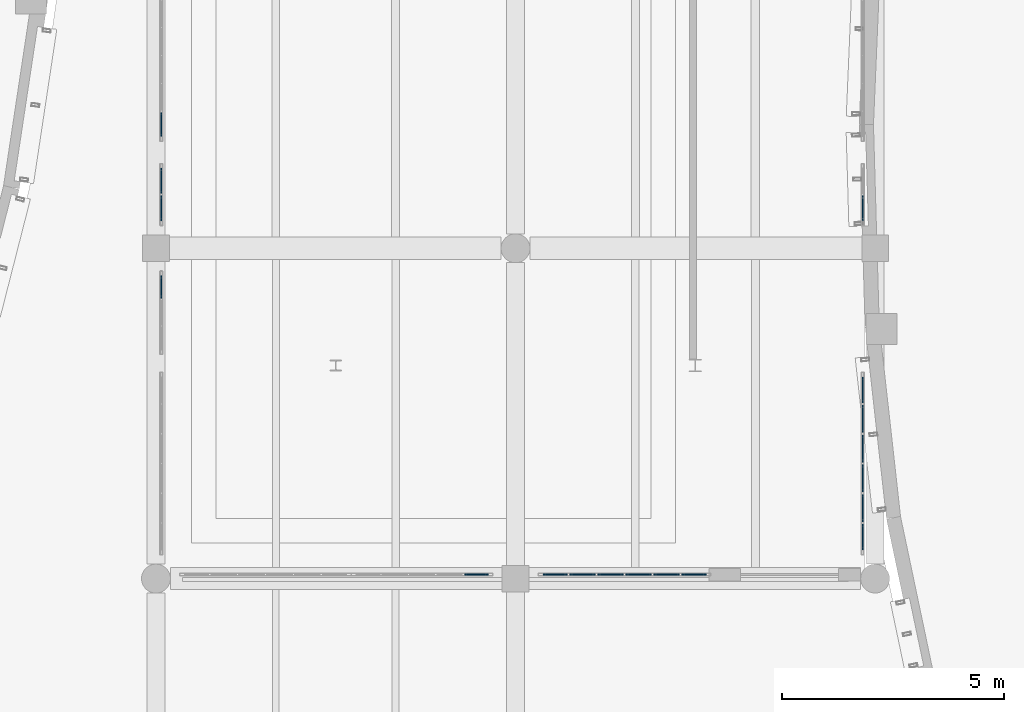
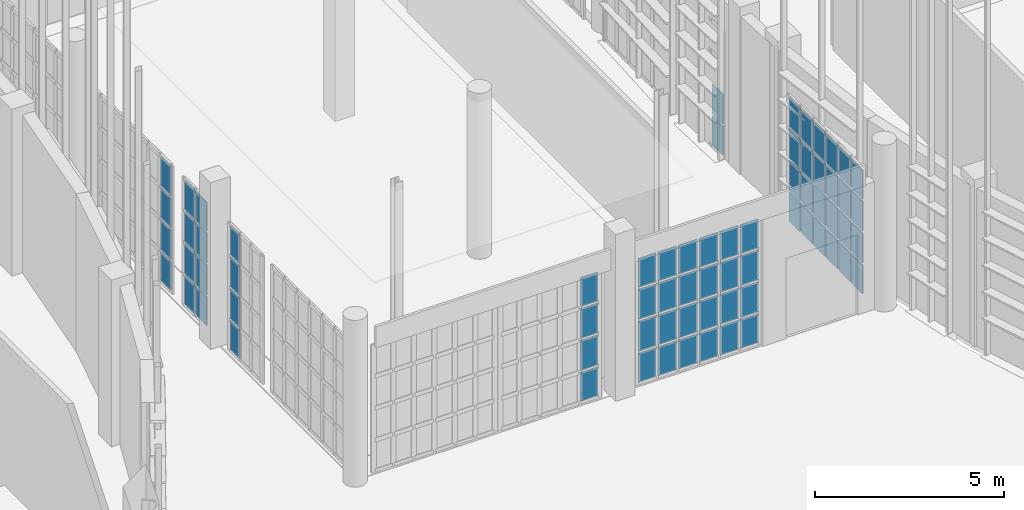
# One storey, part 333 of 372: 70 plates, 7 elements without a shape of their own.
"""IFC4 building model written with IfcOpenShell, lengths in metres."""

from ifc_helpers import new_model, si_unit, direction, frame, origin, origin_2d, place, context, subcontext, project, spatial, rectangle, extrude, material, layer, layer_set, type_object, element, aggregate, save


model = new_model("IFC4")

# Units and contexts
model_context = context("Model", 3, precision=1e-05, world=origin(), true_north=direction((0.0, 1.0)))
body_context = subcontext(model_context, "Body", "Model", "MODEL_VIEW")
ifc_project = project(units=[si_unit("LENGTHUNIT", "METRE"), si_unit("AREAUNIT", "SQUARE_METRE"), si_unit("VOLUMEUNIT", "CUBIC_METRE"), si_unit("PLANEANGLEUNIT", "RADIAN"), si_unit("MASSUNIT", "GRAM", prefix="KILO")], contexts=[model_context])

# Site, building, storey
site_placement = place(None, origin())
site = spatial("IfcSite", under=ifc_project, at=site_placement, CompositionType="ELEMENT")
building_placement = place(site_placement, origin())
building = spatial("IfcBuilding", under=site, at=building_placement, Name="Kaelora Sail Theatre", CompositionType="ELEMENT")
storey_placement = place(building_placement, origin())
storey = spatial("IfcBuildingStorey", under=building, at=storey_placement, Name="L00", CompositionType="ELEMENT", Elevation=0.0)

# Curtain wall, plates
ifc_material_1 = material(Name="Anodised aluminium and solar-control low-E IGU", Category="aluminium")
curtain_wall_type = type_object("IfcCurtainWallType", Name="ARC-CW-CW-FOY2", PredefinedType="NOTDEFINED", material=ifc_material_1)
curtain_wall_1_placement = place(storey_placement, origin())
curtain_wall_1 = element("IfcCurtainWall", 1, at=curtain_wall_1_placement, inside=storey, type_object=curtain_wall_type, Name="East Interstitial Sail Foyer Curtain Wall L00-02", PredefinedType="NOTDEFINED")
ifc_material_2 = material(Name="Solar-control laminated low-E glass", Category="glass")
ifc_layer = layer(ifc_material_2, 0.031982421875)
ifc_layer_set = layer_set([ifc_layer], Name="Solar-control laminated low-E glass")
plate_type = type_object("IfcPlateType", Name="ARC-CW-PNL", PredefinedType="CURTAIN_PANEL", material=ifc_layer_set)
plate_1_placement = place(storey_placement, frame((114.01611328125, 38.7900390625, 0.070068359375), z_axis=(0.0, 0.0, 1.0), x_axis=(1.0, 0.0, 0.0)))
plate_1 = element("IfcPlate", 2, at=plate_1_placement, type_object=plate_type, Name="CW-FOY2 panel 5.1", PredefinedType="CURTAIN_PANEL", context=body_context, shape_type="SweptSolid", body=[
    extrude(rectangle(XDim=0.528076171875, YDim=0.031982421875, at=origin_2d()), origin(), (0.0, 0.0, 1.0), 0.92919921875),
])
plate_2_placement = place(storey_placement, frame((114.01611328125, 38.7900390625, 1.069091796875), z_axis=(0.0, 0.0, 1.0), x_axis=(1.0, 0.0, 0.0)))
plate_2 = element("IfcPlate", 3, at=plate_2_placement, type_object=plate_type, Name="CW-FOY2 panel 5.2", PredefinedType="CURTAIN_PANEL", context=body_context, shape_type="SweptSolid", body=[
    extrude(rectangle(XDim=0.528076171875, YDim=0.031982421875, at=origin_2d()), origin(), (0.0, 0.0, 1.0), 0.96435546875),
])
plate_3_placement = place(storey_placement, frame((114.01611328125, 38.7900390625, 2.103515625), z_axis=(0.0, 0.0, 1.0), x_axis=(1.0, 0.0, 0.0)))
plate_3 = element("IfcPlate", 4, at=plate_3_placement, type_object=plate_type, Name="CW-FOY2 panel 5.3", PredefinedType="CURTAIN_PANEL", context=body_context, shape_type="SweptSolid", body=[
    extrude(rectangle(XDim=0.528076171875, YDim=0.031982421875, at=origin_2d()), origin(), (0.0, 0.0, 1.0), 0.964111328125),
])
plate_4_placement = place(storey_placement, frame((114.01611328125, 38.7900390625, 3.1376953125), z_axis=(0.0, 0.0, 1.0), x_axis=(1.0, 0.0, 0.0)))
plate_4 = element("IfcPlate", 5, at=plate_4_placement, type_object=plate_type, Name="CW-FOY2 panel 5.4", PredefinedType="CURTAIN_PANEL", context=body_context, shape_type="SweptSolid", body=[
    extrude(rectangle(XDim=0.528076171875, YDim=0.031982421875, at=origin_2d()), origin(), (0.0, 0.0, 1.0), 0.92919921875),
])
aggregate(curtain_wall_1, [plate_1, plate_2, plate_3, plate_4])

curtain_wall_2_placement = place(storey_placement, origin())
curtain_wall_2 = element("IfcCurtainWall", 6, at=curtain_wall_2_placement, inside=storey, type_object=curtain_wall_type, Name="East Interstitial Sail Foyer Curtain Wall L00-03", PredefinedType="NOTDEFINED")
plate_5_placement = place(storey_placement, frame((115.790771484375, 38.7900390625, 0.070068359375), z_axis=(0.0, 0.0, 1.0), x_axis=(1.0, 0.0, 0.0)))
plate_5 = element("IfcPlate", 7, at=plate_5_placement, type_object=plate_type, Name="CW-FOY2 panel 1.1", PredefinedType="CURTAIN_PANEL", context=body_context, shape_type="SweptSolid", body=[
    extrude(rectangle(XDim=0.541748046875, YDim=0.031982421875, at=origin_2d()), origin(), (0.0, 0.0, 1.0), 0.92919921875),
])
plate_6_placement = place(storey_placement, frame((115.790771484375, 38.7900390625, 1.069091796875), z_axis=(0.0, 0.0, 1.0), x_axis=(1.0, 0.0, 0.0)))
plate_6 = element("IfcPlate", 8, at=plate_6_placement, type_object=plate_type, Name="CW-FOY2 panel 1.2", PredefinedType="CURTAIN_PANEL", context=body_context, shape_type="SweptSolid", body=[
    extrude(rectangle(XDim=0.541748046875, YDim=0.031982421875, at=origin_2d()), origin(), (0.0, 0.0, 1.0), 0.96435546875),
])
plate_7_placement = place(storey_placement, frame((115.790771484375, 38.7900390625, 2.103515625), z_axis=(0.0, 0.0, 1.0), x_axis=(1.0, 0.0, 0.0)))
plate_7 = element("IfcPlate", 9, at=plate_7_placement, type_object=plate_type, Name="CW-FOY2 panel 1.3", PredefinedType="CURTAIN_PANEL", context=body_context, shape_type="SweptSolid", body=[
    extrude(rectangle(XDim=0.541748046875, YDim=0.031982421875, at=origin_2d()), origin(), (0.0, 0.0, 1.0), 0.964111328125),
])
plate_8_placement = place(storey_placement, frame((115.790771484375, 38.7900390625, 3.1376953125), z_axis=(0.0, 0.0, 1.0), x_axis=(1.0, 0.0, 0.0)))
plate_8 = element("IfcPlate", 10, at=plate_8_placement, type_object=plate_type, Name="CW-FOY2 panel 1.4", PredefinedType="CURTAIN_PANEL", context=body_context, shape_type="SweptSolid", body=[
    extrude(rectangle(XDim=0.541748046875, YDim=0.031982421875, at=origin_2d()), origin(), (0.0, 0.0, 1.0), 0.92919921875),
])
plate_9_placement = place(storey_placement, frame((116.407470703125, 38.7900390625, 0.070068359375), z_axis=(0.0, 0.0, 1.0), x_axis=(1.0, 0.0, 0.0)))
plate_9 = element("IfcPlate", 11, at=plate_9_placement, type_object=plate_type, Name="CW-FOY2 panel 2.1", PredefinedType="CURTAIN_PANEL", context=body_context, shape_type="SweptSolid", body=[
    extrude(rectangle(XDim=0.57177734375, YDim=0.031982421875, at=origin_2d()), origin(), (0.0, 0.0, 1.0), 0.92919921875),
])
plate_10_placement = place(storey_placement, frame((116.407470703125, 38.7900390625, 1.069091796875), z_axis=(0.0, 0.0, 1.0), x_axis=(1.0, 0.0, 0.0)))
plate_10 = element("IfcPlate", 12, at=plate_10_placement, type_object=plate_type, Name="CW-FOY2 panel 2.2", PredefinedType="CURTAIN_PANEL", context=body_context, shape_type="SweptSolid", body=[
    extrude(rectangle(XDim=0.57177734375, YDim=0.031982421875, at=origin_2d()), origin(), (0.0, 0.0, 1.0), 0.96435546875),
])
plate_11_placement = place(storey_placement, frame((116.407470703125, 38.7900390625, 2.103515625), z_axis=(0.0, 0.0, 1.0), x_axis=(1.0, 0.0, 0.0)))
plate_11 = element("IfcPlate", 13, at=plate_11_placement, type_object=plate_type, Name="CW-FOY2 panel 2.3", PredefinedType="CURTAIN_PANEL", context=body_context, shape_type="SweptSolid", body=[
    extrude(rectangle(XDim=0.57177734375, YDim=0.031982421875, at=origin_2d()), origin(), (0.0, 0.0, 1.0), 0.964111328125),
])
plate_12_placement = place(storey_placement, frame((116.407470703125, 38.7900390625, 3.1376953125), z_axis=(0.0, 0.0, 1.0), x_axis=(1.0, 0.0, 0.0)))
plate_12 = element("IfcPlate", 14, at=plate_12_placement, type_object=plate_type, Name="CW-FOY2 panel 2.4", PredefinedType="CURTAIN_PANEL", context=body_context, shape_type="SweptSolid", body=[
    extrude(rectangle(XDim=0.57177734375, YDim=0.031982421875, at=origin_2d()), origin(), (0.0, 0.0, 1.0), 0.92919921875),
])
plate_13_placement = place(storey_placement, frame((117.0390625, 38.7900390625, 0.070068359375), z_axis=(0.0, 0.0, 1.0), x_axis=(1.0, 0.0, 0.0)))
plate_13 = element("IfcPlate", 15, at=plate_13_placement, type_object=plate_type, Name="CW-FOY2 panel 3.1", PredefinedType="CURTAIN_PANEL", context=body_context, shape_type="SweptSolid", body=[
    extrude(rectangle(XDim=0.57177734375, YDim=0.031982421875, at=origin_2d()), origin(), (0.0, 0.0, 1.0), 0.92919921875),
])
plate_14_placement = place(storey_placement, frame((117.0390625, 38.7900390625, 1.069091796875), z_axis=(0.0, 0.0, 1.0), x_axis=(1.0, 0.0, 0.0)))
plate_14 = element("IfcPlate", 16, at=plate_14_placement, type_object=plate_type, Name="CW-FOY2 panel 3.2", PredefinedType="CURTAIN_PANEL", context=body_context, shape_type="SweptSolid", body=[
    extrude(rectangle(XDim=0.57177734375, YDim=0.031982421875, at=origin_2d()), origin(), (0.0, 0.0, 1.0), 0.96435546875),
])
plate_15_placement = place(storey_placement, frame((117.0390625, 38.7900390625, 2.103515625), z_axis=(0.0, 0.0, 1.0), x_axis=(1.0, 0.0, 0.0)))
plate_15 = element("IfcPlate", 17, at=plate_15_placement, type_object=plate_type, Name="CW-FOY2 panel 3.3", PredefinedType="CURTAIN_PANEL", context=body_context, shape_type="SweptSolid", body=[
    extrude(rectangle(XDim=0.57177734375, YDim=0.031982421875, at=origin_2d()), origin(), (0.0, 0.0, 1.0), 0.964111328125),
])
plate_16_placement = place(storey_placement, frame((117.0390625, 38.7900390625, 3.1376953125), z_axis=(0.0, 0.0, 1.0), x_axis=(1.0, 0.0, 0.0)))
plate_16 = element("IfcPlate", 18, at=plate_16_placement, type_object=plate_type, Name="CW-FOY2 panel 3.4", PredefinedType="CURTAIN_PANEL", context=body_context, shape_type="SweptSolid", body=[
    extrude(rectangle(XDim=0.57177734375, YDim=0.031982421875, at=origin_2d()), origin(), (0.0, 0.0, 1.0), 0.92919921875),
])
plate_17_placement = place(storey_placement, frame((117.6708984375, 38.7900390625, 0.070068359375), z_axis=(0.0, 0.0, 1.0), x_axis=(1.0, 0.0, 0.0)))
plate_17 = element("IfcPlate", 19, at=plate_17_placement, type_object=plate_type, Name="CW-FOY2 panel 4.1", PredefinedType="CURTAIN_PANEL", context=body_context, shape_type="SweptSolid", body=[
    extrude(rectangle(XDim=0.57177734375, YDim=0.031982421875, at=origin_2d()), origin(), (0.0, 0.0, 1.0), 0.92919921875),
])
plate_18_placement = place(storey_placement, frame((117.6708984375, 38.7900390625, 1.069091796875), z_axis=(0.0, 0.0, 1.0), x_axis=(1.0, 0.0, 0.0)))
plate_18 = element("IfcPlate", 20, at=plate_18_placement, type_object=plate_type, Name="CW-FOY2 panel 4.2", PredefinedType="CURTAIN_PANEL", context=body_context, shape_type="SweptSolid", body=[
    extrude(rectangle(XDim=0.57177734375, YDim=0.031982421875, at=origin_2d()), origin(), (0.0, 0.0, 1.0), 0.96435546875),
])
plate_19_placement = place(storey_placement, frame((117.6708984375, 38.7900390625, 2.103515625), z_axis=(0.0, 0.0, 1.0), x_axis=(1.0, 0.0, 0.0)))
plate_19 = element("IfcPlate", 21, at=plate_19_placement, type_object=plate_type, Name="CW-FOY2 panel 4.3", PredefinedType="CURTAIN_PANEL", context=body_context, shape_type="SweptSolid", body=[
    extrude(rectangle(XDim=0.57177734375, YDim=0.031982421875, at=origin_2d()), origin(), (0.0, 0.0, 1.0), 0.964111328125),
])
plate_20_placement = place(storey_placement, frame((117.6708984375, 38.7900390625, 3.1376953125), z_axis=(0.0, 0.0, 1.0), x_axis=(1.0, 0.0, 0.0)))
plate_20 = element("IfcPlate", 22, at=plate_20_placement, type_object=plate_type, Name="CW-FOY2 panel 4.4", PredefinedType="CURTAIN_PANEL", context=body_context, shape_type="SweptSolid", body=[
    extrude(rectangle(XDim=0.57177734375, YDim=0.031982421875, at=origin_2d()), origin(), (0.0, 0.0, 1.0), 0.92919921875),
])
plate_21_placement = place(storey_placement, frame((118.302490234375, 38.7900390625, 0.070068359375), z_axis=(0.0, 0.0, 1.0), x_axis=(1.0, 0.0, 0.0)))
plate_21 = element("IfcPlate", 23, at=plate_21_placement, type_object=plate_type, Name="CW-FOY2 panel 5.1", PredefinedType="CURTAIN_PANEL", context=body_context, shape_type="SweptSolid", body=[
    extrude(rectangle(XDim=0.57177734375, YDim=0.031982421875, at=origin_2d()), origin(), (0.0, 0.0, 1.0), 0.92919921875),
])
plate_22_placement = place(storey_placement, frame((118.302490234375, 38.7900390625, 1.069091796875), z_axis=(0.0, 0.0, 1.0), x_axis=(1.0, 0.0, 0.0)))
plate_22 = element("IfcPlate", 24, at=plate_22_placement, type_object=plate_type, Name="CW-FOY2 panel 5.2", PredefinedType="CURTAIN_PANEL", context=body_context, shape_type="SweptSolid", body=[
    extrude(rectangle(XDim=0.57177734375, YDim=0.031982421875, at=origin_2d()), origin(), (0.0, 0.0, 1.0), 0.96435546875),
])
plate_23_placement = place(storey_placement, frame((118.302490234375, 38.7900390625, 2.103515625), z_axis=(0.0, 0.0, 1.0), x_axis=(1.0, 0.0, 0.0)))
plate_23 = element("IfcPlate", 25, at=plate_23_placement, type_object=plate_type, Name="CW-FOY2 panel 5.3", PredefinedType="CURTAIN_PANEL", context=body_context, shape_type="SweptSolid", body=[
    extrude(rectangle(XDim=0.57177734375, YDim=0.031982421875, at=origin_2d()), origin(), (0.0, 0.0, 1.0), 0.964111328125),
])
plate_24_placement = place(storey_placement, frame((118.302490234375, 38.7900390625, 3.1376953125), z_axis=(0.0, 0.0, 1.0), x_axis=(1.0, 0.0, 0.0)))
plate_24 = element("IfcPlate", 26, at=plate_24_placement, type_object=plate_type, Name="CW-FOY2 panel 5.4", PredefinedType="CURTAIN_PANEL", context=body_context, shape_type="SweptSolid", body=[
    extrude(rectangle(XDim=0.57177734375, YDim=0.031982421875, at=origin_2d()), origin(), (0.0, 0.0, 1.0), 0.92919921875),
])
plate_25_placement = place(storey_placement, frame((118.919189453125, 38.7900390625, 0.070068359375), z_axis=(0.0, 0.0, 1.0), x_axis=(1.0, 0.0, 0.0)))
plate_25 = element("IfcPlate", 27, at=plate_25_placement, type_object=plate_type, Name="CW-FOY2 panel 6.1", PredefinedType="CURTAIN_PANEL", context=body_context, shape_type="SweptSolid", body=[
    extrude(rectangle(XDim=0.541748046875, YDim=0.031982421875, at=origin_2d()), origin(), (0.0, 0.0, 1.0), 0.92919921875),
])
plate_26_placement = place(storey_placement, frame((118.919189453125, 38.7900390625, 1.069091796875), z_axis=(0.0, 0.0, 1.0), x_axis=(1.0, 0.0, 0.0)))
plate_26 = element("IfcPlate", 28, at=plate_26_placement, type_object=plate_type, Name="CW-FOY2 panel 6.2", PredefinedType="CURTAIN_PANEL", context=body_context, shape_type="SweptSolid", body=[
    extrude(rectangle(XDim=0.541748046875, YDim=0.031982421875, at=origin_2d()), origin(), (0.0, 0.0, 1.0), 0.96435546875),
])
plate_27_placement = place(storey_placement, frame((118.919189453125, 38.7900390625, 2.103515625), z_axis=(0.0, 0.0, 1.0), x_axis=(1.0, 0.0, 0.0)))
plate_27 = element("IfcPlate", 29, at=plate_27_placement, type_object=plate_type, Name="CW-FOY2 panel 6.3", PredefinedType="CURTAIN_PANEL", context=body_context, shape_type="SweptSolid", body=[
    extrude(rectangle(XDim=0.541748046875, YDim=0.031982421875, at=origin_2d()), origin(), (0.0, 0.0, 1.0), 0.964111328125),
])
plate_28_placement = place(storey_placement, frame((118.919189453125, 38.7900390625, 3.1376953125), z_axis=(0.0, 0.0, 1.0), x_axis=(1.0, 0.0, 0.0)))
plate_28 = element("IfcPlate", 30, at=plate_28_placement, type_object=plate_type, Name="CW-FOY2 panel 6.4", PredefinedType="CURTAIN_PANEL", context=body_context, shape_type="SweptSolid", body=[
    extrude(rectangle(XDim=0.541748046875, YDim=0.031982421875, at=origin_2d()), origin(), (0.0, 0.0, 1.0), 0.92919921875),
])
aggregate(curtain_wall_2, [plate_5, plate_6, plate_7, plate_8, plate_9, plate_10, plate_11, plate_12, plate_13, plate_14, plate_15, plate_16, plate_17, plate_18, plate_19, plate_20, plate_21, plate_22, plate_23, plate_24, plate_25, plate_26, plate_27, plate_28])

curtain_wall_3_placement = place(storey_placement, origin())
curtain_wall_3 = element("IfcCurtainWall", 31, at=curtain_wall_3_placement, inside=storey, type_object=curtain_wall_type, Name="East Interstitial Foyer East Glazed Return L00-01", PredefinedType="NOTDEFINED")
plate_29_placement = place(storey_placement, frame((122.719970703125, 39.634521484375, 0.070068359375), z_axis=(0.0, 0.0, 1.0), x_axis=(0.0, 1.0, 0.0)))
plate_29 = element("IfcPlate", 32, at=plate_29_placement, type_object=plate_type, Name="CW-FOY2 panel 1.1", PredefinedType="CURTAIN_PANEL", context=body_context, shape_type="SweptSolid", body=[
    extrude(rectangle(XDim=0.5791015625, YDim=0.031982421875, at=origin_2d()), origin(), (0.0, 0.0, 1.0), 0.92919921875),
])
plate_30_placement = place(storey_placement, frame((122.719970703125, 39.634521484375, 1.069091796875), z_axis=(0.0, 0.0, 1.0), x_axis=(0.0, 1.0, 0.0)))
plate_30 = element("IfcPlate", 33, at=plate_30_placement, type_object=plate_type, Name="CW-FOY2 panel 1.2", PredefinedType="CURTAIN_PANEL", context=body_context, shape_type="SweptSolid", body=[
    extrude(rectangle(XDim=0.5791015625, YDim=0.031982421875, at=origin_2d()), origin(), (0.0, 0.0, 1.0), 0.96435546875),
])
plate_31_placement = place(storey_placement, frame((122.719970703125, 39.634521484375, 2.103515625), z_axis=(0.0, 0.0, 1.0), x_axis=(0.0, 1.0, 0.0)))
plate_31 = element("IfcPlate", 34, at=plate_31_placement, type_object=plate_type, Name="CW-FOY2 panel 1.3", PredefinedType="CURTAIN_PANEL", context=body_context, shape_type="SweptSolid", body=[
    extrude(rectangle(XDim=0.5791015625, YDim=0.031982421875, at=origin_2d()), origin(), (0.0, 0.0, 1.0), 0.964111328125),
])
plate_32_placement = place(storey_placement, frame((122.719970703125, 39.634521484375, 3.1376953125), z_axis=(0.0, 0.0, 1.0), x_axis=(0.0, 1.0, 0.0)))
plate_32 = element("IfcPlate", 35, at=plate_32_placement, type_object=plate_type, Name="CW-FOY2 panel 1.4", PredefinedType="CURTAIN_PANEL", context=body_context, shape_type="SweptSolid", body=[
    extrude(rectangle(XDim=0.5791015625, YDim=0.031982421875, at=origin_2d()), origin(), (0.0, 0.0, 1.0), 0.92919921875),
])
plate_33_placement = place(storey_placement, frame((122.719970703125, 40.288818359375, 0.070068359375), z_axis=(0.0, 0.0, 1.0), x_axis=(0.0, 1.0, 0.0)))
plate_33 = element("IfcPlate", 36, at=plate_33_placement, type_object=plate_type, Name="CW-FOY2 panel 2.1", PredefinedType="CURTAIN_PANEL", context=body_context, shape_type="SweptSolid", body=[
    extrude(rectangle(XDim=0.609130859375, YDim=0.031982421875, at=origin_2d()), origin(), (0.0, 0.0, 1.0), 0.92919921875),
])
plate_34_placement = place(storey_placement, frame((122.719970703125, 40.288818359375, 1.069091796875), z_axis=(0.0, 0.0, 1.0), x_axis=(0.0, 1.0, 0.0)))
plate_34 = element("IfcPlate", 37, at=plate_34_placement, type_object=plate_type, Name="CW-FOY2 panel 2.2", PredefinedType="CURTAIN_PANEL", context=body_context, shape_type="SweptSolid", body=[
    extrude(rectangle(XDim=0.609130859375, YDim=0.031982421875, at=origin_2d()), origin(), (0.0, 0.0, 1.0), 0.96435546875),
])
plate_35_placement = place(storey_placement, frame((122.719970703125, 40.288818359375, 2.103515625), z_axis=(0.0, 0.0, 1.0), x_axis=(0.0, 1.0, 0.0)))
plate_35 = element("IfcPlate", 38, at=plate_35_placement, type_object=plate_type, Name="CW-FOY2 panel 2.3", PredefinedType="CURTAIN_PANEL", context=body_context, shape_type="SweptSolid", body=[
    extrude(rectangle(XDim=0.609130859375, YDim=0.031982421875, at=origin_2d()), origin(), (0.0, 0.0, 1.0), 0.964111328125),
])
plate_36_placement = place(storey_placement, frame((122.719970703125, 40.288818359375, 3.1376953125), z_axis=(0.0, 0.0, 1.0), x_axis=(0.0, 1.0, 0.0)))
plate_36 = element("IfcPlate", 39, at=plate_36_placement, type_object=plate_type, Name="CW-FOY2 panel 2.4", PredefinedType="CURTAIN_PANEL", context=body_context, shape_type="SweptSolid", body=[
    extrude(rectangle(XDim=0.609130859375, YDim=0.031982421875, at=origin_2d()), origin(), (0.0, 0.0, 1.0), 0.92919921875),
])
plate_37_placement = place(storey_placement, frame((122.719970703125, 40.9580078125, 0.070068359375), z_axis=(0.0, 0.0, 1.0), x_axis=(0.0, 1.0, 0.0)))
plate_37 = element("IfcPlate", 40, at=plate_37_placement, type_object=plate_type, Name="CW-FOY2 panel 3.1", PredefinedType="CURTAIN_PANEL", context=body_context, shape_type="SweptSolid", body=[
    extrude(rectangle(XDim=0.609130859375, YDim=0.031982421875, at=origin_2d()), origin(), (0.0, 0.0, 1.0), 0.92919921875),
])
plate_38_placement = place(storey_placement, frame((122.719970703125, 40.9580078125, 1.069091796875), z_axis=(0.0, 0.0, 1.0), x_axis=(0.0, 1.0, 0.0)))
plate_38 = element("IfcPlate", 41, at=plate_38_placement, type_object=plate_type, Name="CW-FOY2 panel 3.2", PredefinedType="CURTAIN_PANEL", context=body_context, shape_type="SweptSolid", body=[
    extrude(rectangle(XDim=0.609130859375, YDim=0.031982421875, at=origin_2d()), origin(), (0.0, 0.0, 1.0), 0.96435546875),
])
plate_39_placement = place(storey_placement, frame((122.719970703125, 40.9580078125, 2.103515625), z_axis=(0.0, 0.0, 1.0), x_axis=(0.0, 1.0, 0.0)))
plate_39 = element("IfcPlate", 42, at=plate_39_placement, type_object=plate_type, Name="CW-FOY2 panel 3.3", PredefinedType="CURTAIN_PANEL", context=body_context, shape_type="SweptSolid", body=[
    extrude(rectangle(XDim=0.609130859375, YDim=0.031982421875, at=origin_2d()), origin(), (0.0, 0.0, 1.0), 0.964111328125),
])
plate_40_placement = place(storey_placement, frame((122.719970703125, 40.9580078125, 3.1376953125), z_axis=(0.0, 0.0, 1.0), x_axis=(0.0, 1.0, 0.0)))
plate_40 = element("IfcPlate", 43, at=plate_40_placement, type_object=plate_type, Name="CW-FOY2 panel 3.4", PredefinedType="CURTAIN_PANEL", context=body_context, shape_type="SweptSolid", body=[
    extrude(rectangle(XDim=0.609130859375, YDim=0.031982421875, at=origin_2d()), origin(), (0.0, 0.0, 1.0), 0.92919921875),
])
plate_41_placement = place(storey_placement, frame((122.719970703125, 41.627197265625, 0.070068359375), z_axis=(0.0, 0.0, 1.0), x_axis=(0.0, 1.0, 0.0)))
plate_41 = element("IfcPlate", 44, at=plate_41_placement, type_object=plate_type, Name="CW-FOY2 panel 4.1", PredefinedType="CURTAIN_PANEL", context=body_context, shape_type="SweptSolid", body=[
    extrude(rectangle(XDim=0.609130859375, YDim=0.031982421875, at=origin_2d()), origin(), (0.0, 0.0, 1.0), 0.92919921875),
])
plate_42_placement = place(storey_placement, frame((122.719970703125, 41.627197265625, 1.069091796875), z_axis=(0.0, 0.0, 1.0), x_axis=(0.0, 1.0, 0.0)))
plate_42 = element("IfcPlate", 45, at=plate_42_placement, type_object=plate_type, Name="CW-FOY2 panel 4.2", PredefinedType="CURTAIN_PANEL", context=body_context, shape_type="SweptSolid", body=[
    extrude(rectangle(XDim=0.609130859375, YDim=0.031982421875, at=origin_2d()), origin(), (0.0, 0.0, 1.0), 0.96435546875),
])
plate_43_placement = place(storey_placement, frame((122.719970703125, 41.627197265625, 2.103515625), z_axis=(0.0, 0.0, 1.0), x_axis=(0.0, 1.0, 0.0)))
plate_43 = element("IfcPlate", 46, at=plate_43_placement, type_object=plate_type, Name="CW-FOY2 panel 4.3", PredefinedType="CURTAIN_PANEL", context=body_context, shape_type="SweptSolid", body=[
    extrude(rectangle(XDim=0.609130859375, YDim=0.031982421875, at=origin_2d()), origin(), (0.0, 0.0, 1.0), 0.964111328125),
])
plate_44_placement = place(storey_placement, frame((122.719970703125, 41.627197265625, 3.1376953125), z_axis=(0.0, 0.0, 1.0), x_axis=(0.0, 1.0, 0.0)))
plate_44 = element("IfcPlate", 47, at=plate_44_placement, type_object=plate_type, Name="CW-FOY2 panel 4.4", PredefinedType="CURTAIN_PANEL", context=body_context, shape_type="SweptSolid", body=[
    extrude(rectangle(XDim=0.609130859375, YDim=0.031982421875, at=origin_2d()), origin(), (0.0, 0.0, 1.0), 0.92919921875),
])
plate_45_placement = place(storey_placement, frame((122.719970703125, 42.296142578125, 0.070068359375), z_axis=(0.0, 0.0, 1.0), x_axis=(0.0, 1.0, 0.0)))
plate_45 = element("IfcPlate", 48, at=plate_45_placement, type_object=plate_type, Name="CW-FOY2 panel 5.1", PredefinedType="CURTAIN_PANEL", context=body_context, shape_type="SweptSolid", body=[
    extrude(rectangle(XDim=0.609130859375, YDim=0.031982421875, at=origin_2d()), origin(), (0.0, 0.0, 1.0), 0.92919921875),
])
plate_46_placement = place(storey_placement, frame((122.719970703125, 42.296142578125, 1.069091796875), z_axis=(0.0, 0.0, 1.0), x_axis=(0.0, 1.0, 0.0)))
plate_46 = element("IfcPlate", 49, at=plate_46_placement, type_object=plate_type, Name="CW-FOY2 panel 5.2", PredefinedType="CURTAIN_PANEL", context=body_context, shape_type="SweptSolid", body=[
    extrude(rectangle(XDim=0.609130859375, YDim=0.031982421875, at=origin_2d()), origin(), (0.0, 0.0, 1.0), 0.96435546875),
])
plate_47_placement = place(storey_placement, frame((122.719970703125, 42.296142578125, 2.103515625), z_axis=(0.0, 0.0, 1.0), x_axis=(0.0, 1.0, 0.0)))
plate_47 = element("IfcPlate", 50, at=plate_47_placement, type_object=plate_type, Name="CW-FOY2 panel 5.3", PredefinedType="CURTAIN_PANEL", context=body_context, shape_type="SweptSolid", body=[
    extrude(rectangle(XDim=0.609130859375, YDim=0.031982421875, at=origin_2d()), origin(), (0.0, 0.0, 1.0), 0.964111328125),
])
plate_48_placement = place(storey_placement, frame((122.719970703125, 42.296142578125, 3.1376953125), z_axis=(0.0, 0.0, 1.0), x_axis=(0.0, 1.0, 0.0)))
plate_48 = element("IfcPlate", 51, at=plate_48_placement, type_object=plate_type, Name="CW-FOY2 panel 5.4", PredefinedType="CURTAIN_PANEL", context=body_context, shape_type="SweptSolid", body=[
    extrude(rectangle(XDim=0.609130859375, YDim=0.031982421875, at=origin_2d()), origin(), (0.0, 0.0, 1.0), 0.92919921875),
])
plate_49_placement = place(storey_placement, frame((122.719970703125, 42.950439453125, 0.070068359375), z_axis=(0.0, 0.0, 1.0), x_axis=(0.0, 1.0, 0.0)))
plate_49 = element("IfcPlate", 52, at=plate_49_placement, type_object=plate_type, Name="CW-FOY2 panel 6.1", PredefinedType="CURTAIN_PANEL", context=body_context, shape_type="SweptSolid", body=[
    extrude(rectangle(XDim=0.5791015625, YDim=0.031982421875, at=origin_2d()), origin(), (0.0, 0.0, 1.0), 0.92919921875),
])
plate_50_placement = place(storey_placement, frame((122.719970703125, 42.950439453125, 1.069091796875), z_axis=(0.0, 0.0, 1.0), x_axis=(0.0, 1.0, 0.0)))
plate_50 = element("IfcPlate", 53, at=plate_50_placement, type_object=plate_type, Name="CW-FOY2 panel 6.2", PredefinedType="CURTAIN_PANEL", context=body_context, shape_type="SweptSolid", body=[
    extrude(rectangle(XDim=0.5791015625, YDim=0.031982421875, at=origin_2d()), origin(), (0.0, 0.0, 1.0), 0.96435546875),
])
plate_51_placement = place(storey_placement, frame((122.719970703125, 42.950439453125, 2.103515625), z_axis=(0.0, 0.0, 1.0), x_axis=(0.0, 1.0, 0.0)))
plate_51 = element("IfcPlate", 54, at=plate_51_placement, type_object=plate_type, Name="CW-FOY2 panel 6.3", PredefinedType="CURTAIN_PANEL", context=body_context, shape_type="SweptSolid", body=[
    extrude(rectangle(XDim=0.5791015625, YDim=0.031982421875, at=origin_2d()), origin(), (0.0, 0.0, 1.0), 0.964111328125),
])
plate_52_placement = place(storey_placement, frame((122.719970703125, 42.950439453125, 3.1376953125), z_axis=(0.0, 0.0, 1.0), x_axis=(0.0, 1.0, 0.0)))
plate_52 = element("IfcPlate", 55, at=plate_52_placement, type_object=plate_type, Name="CW-FOY2 panel 6.4", PredefinedType="CURTAIN_PANEL", context=body_context, shape_type="SweptSolid", body=[
    extrude(rectangle(XDim=0.5791015625, YDim=0.031982421875, at=origin_2d()), origin(), (0.0, 0.0, 1.0), 0.92919921875),
])
aggregate(curtain_wall_3, [plate_29, plate_30, plate_31, plate_32, plate_33, plate_34, plate_35, plate_36, plate_37, plate_38, plate_39, plate_40, plate_41, plate_42, plate_43, plate_44, plate_45, plate_46, plate_47, plate_48, plate_49, plate_50, plate_51, plate_52])

curtain_wall_4_placement = place(storey_placement, origin())
curtain_wall_4 = element("IfcCurtainWall", 56, at=curtain_wall_4_placement, inside=storey, type_object=curtain_wall_type, Name="East Interstitial Foyer West Glazed Return L00-02", PredefinedType="NOTDEFINED")
plate_53_placement = place(storey_placement, frame((106.919921875, 45.268310546875, 0.070068359375), z_axis=(0.0, 0.0, 1.0), x_axis=(0.0, 1.0, 0.0)))
plate_53 = element("IfcPlate", 57, at=plate_53_placement, type_object=plate_type, Name="CW-FOY2 panel 3.1", PredefinedType="CURTAIN_PANEL", context=body_context, shape_type="SweptSolid", body=[
    extrude(rectangle(XDim=0.50341796875, YDim=0.031982421875, at=origin_2d()), origin(), (0.0, 0.0, 1.0), 0.92919921875),
])
plate_54_placement = place(storey_placement, frame((106.919921875, 45.268310546875, 1.069091796875), z_axis=(0.0, 0.0, 1.0), x_axis=(0.0, 1.0, 0.0)))
plate_54 = element("IfcPlate", 58, at=plate_54_placement, type_object=plate_type, Name="CW-FOY2 panel 3.2", PredefinedType="CURTAIN_PANEL", context=body_context, shape_type="SweptSolid", body=[
    extrude(rectangle(XDim=0.50341796875, YDim=0.031982421875, at=origin_2d()), origin(), (0.0, 0.0, 1.0), 0.96435546875),
])
plate_55_placement = place(storey_placement, frame((106.919921875, 45.268310546875, 2.103515625), z_axis=(0.0, 0.0, 1.0), x_axis=(0.0, 1.0, 0.0)))
plate_55 = element("IfcPlate", 59, at=plate_55_placement, type_object=plate_type, Name="CW-FOY2 panel 3.3", PredefinedType="CURTAIN_PANEL", context=body_context, shape_type="SweptSolid", body=[
    extrude(rectangle(XDim=0.50341796875, YDim=0.031982421875, at=origin_2d()), origin(), (0.0, 0.0, 1.0), 0.964111328125),
])
plate_56_placement = place(storey_placement, frame((106.919921875, 45.268310546875, 3.1376953125), z_axis=(0.0, 0.0, 1.0), x_axis=(0.0, 1.0, 0.0)))
plate_56 = element("IfcPlate", 60, at=plate_56_placement, type_object=plate_type, Name="CW-FOY2 panel 3.4", PredefinedType="CURTAIN_PANEL", context=body_context, shape_type="SweptSolid", body=[
    extrude(rectangle(XDim=0.50341796875, YDim=0.031982421875, at=origin_2d()), origin(), (0.0, 0.0, 1.0), 0.92919921875),
])
aggregate(curtain_wall_4, [plate_53, plate_54, plate_55, plate_56])

curtain_wall_5_placement = place(storey_placement, origin())
curtain_wall_5 = element("IfcCurtainWall", 61, at=curtain_wall_5_placement, inside=storey, type_object=curtain_wall_type, Name="East Interstitial Foyer West Glazed Return L00-02", PredefinedType="NOTDEFINED")
plate_57_placement = place(storey_placement, frame((106.919921875, 47.0400390625, 0.070068359375), z_axis=(0.0, 0.0, 1.0), x_axis=(0.0, 1.0, 0.0)))
plate_57 = element("IfcPlate", 62, at=plate_57_placement, type_object=plate_type, Name="CW-FOY2 panel 1.1", PredefinedType="CURTAIN_PANEL", context=body_context, shape_type="SweptSolid", body=[
    extrude(rectangle(XDim=0.56005859375, YDim=0.031982421875, at=origin_2d()), origin(), (0.0, 0.0, 1.0), 0.92919921875),
])
plate_58_placement = place(storey_placement, frame((106.919921875, 47.0400390625, 1.069091796875), z_axis=(0.0, 0.0, 1.0), x_axis=(0.0, 1.0, 0.0)))
plate_58 = element("IfcPlate", 63, at=plate_58_placement, type_object=plate_type, Name="CW-FOY2 panel 1.2", PredefinedType="CURTAIN_PANEL", context=body_context, shape_type="SweptSolid", body=[
    extrude(rectangle(XDim=0.56005859375, YDim=0.031982421875, at=origin_2d()), origin(), (0.0, 0.0, 1.0), 0.96435546875),
])
plate_59_placement = place(storey_placement, frame((106.919921875, 47.0400390625, 2.103515625), z_axis=(0.0, 0.0, 1.0), x_axis=(0.0, 1.0, 0.0)))
plate_59 = element("IfcPlate", 64, at=plate_59_placement, type_object=plate_type, Name="CW-FOY2 panel 1.3", PredefinedType="CURTAIN_PANEL", context=body_context, shape_type="SweptSolid", body=[
    extrude(rectangle(XDim=0.56005859375, YDim=0.031982421875, at=origin_2d()), origin(), (0.0, 0.0, 1.0), 0.964111328125),
])
plate_60_placement = place(storey_placement, frame((106.919921875, 47.0400390625, 3.1376953125), z_axis=(0.0, 0.0, 1.0), x_axis=(0.0, 1.0, 0.0)))
plate_60 = element("IfcPlate", 65, at=plate_60_placement, type_object=plate_type, Name="CW-FOY2 panel 1.4", PredefinedType="CURTAIN_PANEL", context=body_context, shape_type="SweptSolid", body=[
    extrude(rectangle(XDim=0.56005859375, YDim=0.031982421875, at=origin_2d()), origin(), (0.0, 0.0, 1.0), 0.92919921875),
])
plate_61_placement = place(storey_placement, frame((106.919921875, 47.659912109375, 0.070068359375), z_axis=(0.0, 0.0, 1.0), x_axis=(0.0, 1.0, 0.0)))
plate_61 = element("IfcPlate", 66, at=plate_61_placement, type_object=plate_type, Name="CW-FOY2 panel 2.1", PredefinedType="CURTAIN_PANEL", context=body_context, shape_type="SweptSolid", body=[
    extrude(rectangle(XDim=0.56005859375, YDim=0.031982421875, at=origin_2d()), origin(), (0.0, 0.0, 1.0), 0.92919921875),
])
plate_62_placement = place(storey_placement, frame((106.919921875, 47.659912109375, 1.069091796875), z_axis=(0.0, 0.0, 1.0), x_axis=(0.0, 1.0, 0.0)))
plate_62 = element("IfcPlate", 67, at=plate_62_placement, type_object=plate_type, Name="CW-FOY2 panel 2.2", PredefinedType="CURTAIN_PANEL", context=body_context, shape_type="SweptSolid", body=[
    extrude(rectangle(XDim=0.56005859375, YDim=0.031982421875, at=origin_2d()), origin(), (0.0, 0.0, 1.0), 0.96435546875),
])
plate_63_placement = place(storey_placement, frame((106.919921875, 47.659912109375, 2.103515625), z_axis=(0.0, 0.0, 1.0), x_axis=(0.0, 1.0, 0.0)))
plate_63 = element("IfcPlate", 68, at=plate_63_placement, type_object=plate_type, Name="CW-FOY2 panel 2.3", PredefinedType="CURTAIN_PANEL", context=body_context, shape_type="SweptSolid", body=[
    extrude(rectangle(XDim=0.56005859375, YDim=0.031982421875, at=origin_2d()), origin(), (0.0, 0.0, 1.0), 0.964111328125),
])
plate_64_placement = place(storey_placement, frame((106.919921875, 47.659912109375, 3.1376953125), z_axis=(0.0, 0.0, 1.0), x_axis=(0.0, 1.0, 0.0)))
plate_64 = element("IfcPlate", 69, at=plate_64_placement, type_object=plate_type, Name="CW-FOY2 panel 2.4", PredefinedType="CURTAIN_PANEL", context=body_context, shape_type="SweptSolid", body=[
    extrude(rectangle(XDim=0.56005859375, YDim=0.031982421875, at=origin_2d()), origin(), (0.0, 0.0, 1.0), 0.92919921875),
])
aggregate(curtain_wall_5, [plate_57, plate_58, plate_59, plate_60, plate_61, plate_62, plate_63, plate_64])

curtain_wall_6_placement = place(storey_placement, origin())
curtain_wall_6 = element("IfcCurtainWall", 70, at=curtain_wall_6_placement, inside=storey, type_object=curtain_wall_type, Name="East Interstitial Foyer East Glazed Return L00-02", PredefinedType="NOTDEFINED")
plate_65_placement = place(storey_placement, frame((122.719970703125, 47.0400390625, 0.070068359375), z_axis=(0.0, 0.0, 1.0), x_axis=(0.0, 1.0, 0.0)))
plate_65 = element("IfcPlate", 71, at=plate_65_placement, type_object=plate_type, Name="CW-FOY2 panel 1.1", PredefinedType="CURTAIN_PANEL", context=body_context, shape_type="SweptSolid", body=[
    extrude(rectangle(XDim=0.56005859375, YDim=0.031982421875, at=origin_2d()), origin(), (0.0, 0.0, 1.0), 0.92919921875),
])
plate_66_placement = place(storey_placement, frame((122.719970703125, 47.0400390625, 1.069091796875), z_axis=(0.0, 0.0, 1.0), x_axis=(0.0, 1.0, 0.0)))
plate_66 = element("IfcPlate", 72, at=plate_66_placement, type_object=plate_type, Name="CW-FOY2 panel 1.2", PredefinedType="CURTAIN_PANEL", context=body_context, shape_type="SweptSolid", body=[
    extrude(rectangle(XDim=0.56005859375, YDim=0.031982421875, at=origin_2d()), origin(), (0.0, 0.0, 1.0), 0.96435546875),
])
aggregate(curtain_wall_6, [plate_65, plate_66])

curtain_wall_7_placement = place(storey_placement, origin())
curtain_wall_7 = element("IfcCurtainWall", 73, at=curtain_wall_7_placement, inside=storey, type_object=curtain_wall_type, Name="East Interstitial Foyer West Glazed Return L00-03", PredefinedType="NOTDEFINED")
plate_67_placement = place(storey_placement, frame((106.919921875, 48.928955078125, 0.070068359375), z_axis=(0.0, 0.0, 1.0), x_axis=(0.0, 1.0, 0.0)))
plate_67 = element("IfcPlate", 74, at=plate_67_placement, type_object=plate_type, Name="CW-FOY2 panel 1.1", PredefinedType="CURTAIN_PANEL", context=body_context, shape_type="SweptSolid", body=[
    extrude(rectangle(XDim=0.537841796875, YDim=0.031982421875, at=origin_2d()), origin(), (0.0, 0.0, 1.0), 0.92919921875),
])
plate_68_placement = place(storey_placement, frame((106.919921875, 48.928955078125, 1.069091796875), z_axis=(0.0, 0.0, 1.0), x_axis=(0.0, 1.0, 0.0)))
plate_68 = element("IfcPlate", 75, at=plate_68_placement, type_object=plate_type, Name="CW-FOY2 panel 1.2", PredefinedType="CURTAIN_PANEL", context=body_context, shape_type="SweptSolid", body=[
    extrude(rectangle(XDim=0.537841796875, YDim=0.031982421875, at=origin_2d()), origin(), (0.0, 0.0, 1.0), 0.96435546875),
])
plate_69_placement = place(storey_placement, frame((106.919921875, 48.928955078125, 2.103515625), z_axis=(0.0, 0.0, 1.0), x_axis=(0.0, 1.0, 0.0)))
plate_69 = element("IfcPlate", 76, at=plate_69_placement, type_object=plate_type, Name="CW-FOY2 panel 1.3", PredefinedType="CURTAIN_PANEL", context=body_context, shape_type="SweptSolid", body=[
    extrude(rectangle(XDim=0.537841796875, YDim=0.031982421875, at=origin_2d()), origin(), (0.0, 0.0, 1.0), 0.964111328125),
])
plate_70_placement = place(storey_placement, frame((106.919921875, 48.928955078125, 3.1376953125), z_axis=(0.0, 0.0, 1.0), x_axis=(0.0, 1.0, 0.0)))
plate_70 = element("IfcPlate", 77, at=plate_70_placement, type_object=plate_type, Name="CW-FOY2 panel 1.4", PredefinedType="CURTAIN_PANEL", context=body_context, shape_type="SweptSolid", body=[
    extrude(rectangle(XDim=0.537841796875, YDim=0.031982421875, at=origin_2d()), origin(), (0.0, 0.0, 1.0), 0.92919921875),
])
aggregate(curtain_wall_7, [plate_67, plate_68, plate_69, plate_70])

save(model, "model.ifc")
